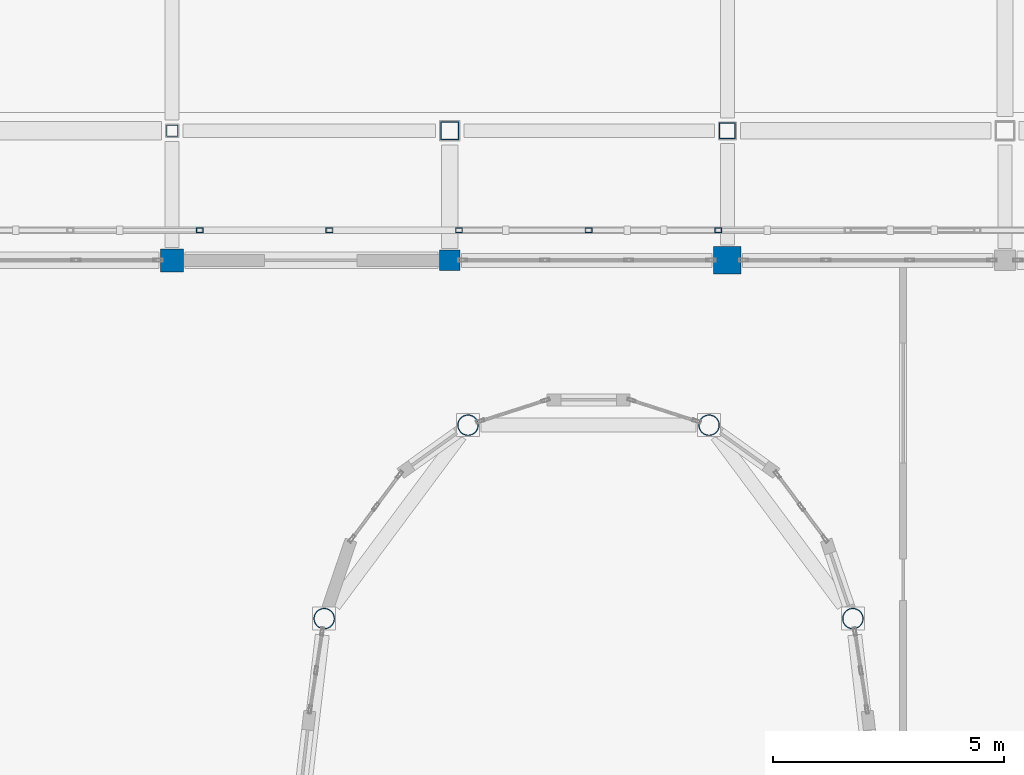
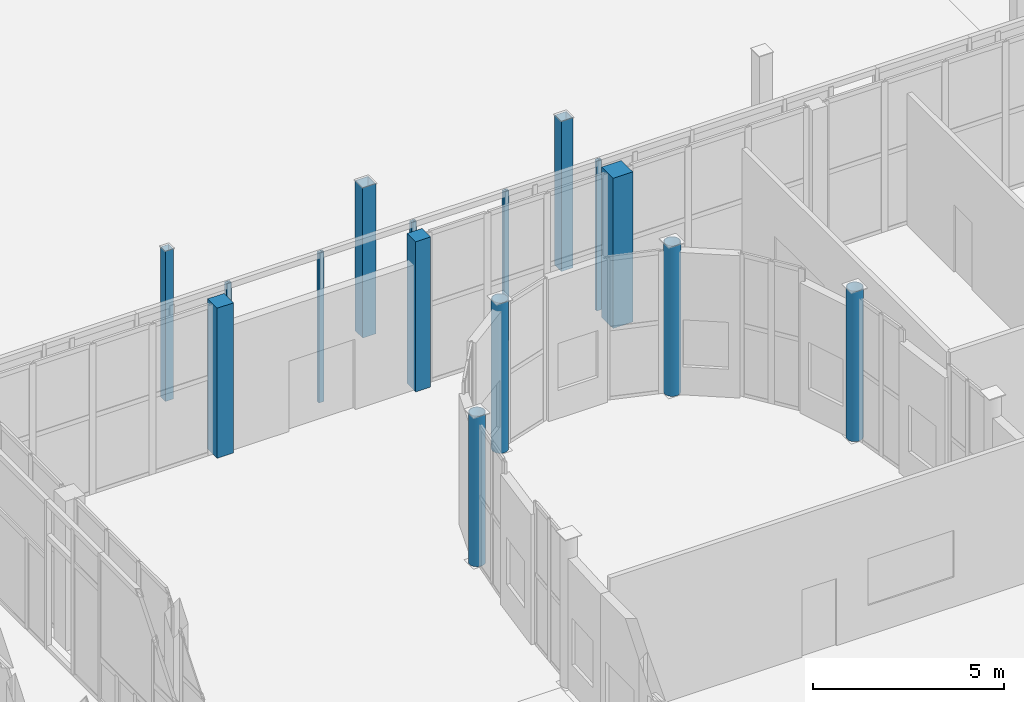
# One storey, part 13 of 91: 15 columns.
"""IFC4 building model written with IfcOpenShell, lengths in metres."""

from ifc_helpers import new_model, si_unit, direction, frame, origin, origin_2d, place, context, subcontext, project, spatial, rectangle, hollow_rectangle, hollow_circle, extrude, material, material_profile, profile_set, type_object, element, save


model = new_model("IFC4")

# Units and contexts
model_context = context("Model", 3, precision=1e-05, world=origin(), true_north=direction((0.0, 1.0)))
body_context = subcontext(model_context, "Body", "Model", "MODEL_VIEW")
ifc_project = project(units=[si_unit("LENGTHUNIT", "METRE"), si_unit("AREAUNIT", "SQUARE_METRE"), si_unit("VOLUMEUNIT", "CUBIC_METRE"), si_unit("PLANEANGLEUNIT", "RADIAN"), si_unit("MASSUNIT", "GRAM", prefix="KILO")], contexts=[model_context])

# Site, building, storey
site_placement = place(None, origin())
site = spatial("IfcSite", under=ifc_project, at=site_placement, CompositionType="ELEMENT")
building_placement = place(site_placement, origin())
building = spatial("IfcBuilding", under=site, at=building_placement, Name="Vinh Khe Railworks Police Headquarters", CompositionType="ELEMENT")
storey_placement = place(building_placement, origin())
storey = spatial("IfcBuildingStorey", under=building, at=storey_placement, Name="L00", CompositionType="ELEMENT", Elevation=0.0)

# Columns
ifc_material_1 = material(Name="Steel S355JR", Category="steel")
ifc_material_profile_1 = material_profile(ifc_material_1, hollow_rectangle(XDim=0.14990234375, YDim=0.10009765625, WallThickness=0.008056640625, at=origin_2d()), Name="RHS 150x100x8")
ifc_profile_set_1 = profile_set([ifc_material_profile_1], Name="Steel S355JR")
column_type_1 = type_object("IfcColumnType", Name="COL-QUILT-POST", PredefinedType="COLUMN", material=ifc_profile_set_1)
for number, where, z_axis, x_axis, name in (
    (1, (34.800048828125, 59.449951171875, 0.0), (0.0, 0.0, 1.0), (1.0, 0.0, 0.0), "Patchwork Quilt Carrier Column N-4 (L00)"),
    (2, (37.60009765625, 59.449951171875, 0.0), (0.0, 0.0, 1.0), (1.0, 0.0, 0.0), "Patchwork Quilt Carrier Column N-5 (L00)"),
    (3, (40.39990234375, 59.449951171875, 0.0), (0.0, 0.0, 1.0), (1.0, 0.0, 0.0), "Patchwork Quilt Carrier Column N-6 (L00)"),
    (4, (43.199951171875, 59.449951171875, 0.0), (0.0, 0.0, 1.0), (1.0, 0.0, 0.0), "Patchwork Quilt Carrier Column N-7 (L00)"),
    (5, (46.0, 59.449951171875, 0.0), (0.0, 0.0, 1.0), (1.0, 0.0, 0.0), "Patchwork Quilt Carrier Column N-8 (L00)"),
):
    element("IfcColumn", number, at=place(storey_placement, frame(where, z_axis=z_axis, x_axis=x_axis)), inside=storey, type_object=column_type_1, Name=name, PredefinedType="COLUMN", context=body_context, shape_type="SweptSolid", body=[
        extrude(hollow_rectangle(XDim=0.14990234375, YDim=0.10009765625, WallThickness=0.008056640625, at=origin_2d()), origin(), (0.0, 0.0, 1.0), 4.800048828125),
    ])
ifc_material_2 = material(Name="Concrete C40/50 (B40)", Category="concrete")
ifc_material_profile_2 = material_profile(ifc_material_2, rectangle(XDim=0.449951171875, YDim=0.449951171875, at=origin_2d()), Name="RC 450x450")
ifc_profile_set_2 = profile_set([ifc_material_profile_2], Name="Concrete C40/50 (B40)")
column_type_2 = type_object("IfcColumnType", Name="RC Column RC 450x450", PredefinedType="COLUMN", material=ifc_profile_set_2)
column_1_placement = place(storey_placement, frame((40.199951171875, 58.800048828125, 0.0), z_axis=(0.0, 0.0, 1.0), x_axis=(1.0, 0.0, 0.0)))
element("IfcColumn", 6, at=column_1_placement, inside=storey, type_object=column_type_2, Name="Column COL-L00-CC-08-0864", PredefinedType="COLUMN", context=body_context, shape_type="SweptSolid", body=[
    extrude(rectangle(XDim=0.449951171875, YDim=0.449951171875, at=origin_2d()), origin(), (0.0, 0.0, 1.0), 4.800048828125),
])
ifc_material_profile_3 = material_profile(ifc_material_2, rectangle(XDim=0.5, YDim=0.5, at=origin_2d()), Name="RC 500x500")
ifc_profile_set_3 = profile_set([ifc_material_profile_3], Name="Concrete C40/50 (B40)")
column_type_3 = type_object("IfcColumnType", Name="RC Column RC 500x500", PredefinedType="COLUMN", material=ifc_profile_set_3)
column_2_placement = place(storey_placement, frame((34.199951171875, 58.800048828125, 0.0), z_axis=(0.0, 0.0, 1.0), x_axis=(1.0, 0.0, 0.0)))
element("IfcColumn", 7, at=column_2_placement, inside=storey, type_object=column_type_3, Name="Column COL-L00-CC-07-0795", PredefinedType="COLUMN", context=body_context, shape_type="SweptSolid", body=[
    extrude(rectangle(XDim=0.5, YDim=0.5, at=origin_2d()), origin(), (0.0, 0.0, 1.0), 4.800048828125),
])
ifc_material_profile_4 = material_profile(ifc_material_2, rectangle(XDim=0.60009765625, YDim=0.60009765625, at=origin_2d()), Name="RC 600x600")
ifc_profile_set_4 = profile_set([ifc_material_profile_4], Name="Concrete C40/50 (B40)")
column_type_4 = type_object("IfcColumnType", Name="RC Column RC 600x600", PredefinedType="COLUMN", material=ifc_profile_set_4)
column_3_placement = place(storey_placement, frame((46.199951171875, 58.800048828125, 0.0), z_axis=(0.0, 0.0, 1.0), x_axis=(1.0, 0.0, 0.0)))
element("IfcColumn", 8, at=column_3_placement, inside=storey, type_object=column_type_4, Name="Column COL-L00-CC-05-0913", PredefinedType="COLUMN", context=body_context, shape_type="SweptSolid", body=[
    extrude(rectangle(XDim=0.60009765625, YDim=0.60009765625, at=origin_2d()), origin(), (0.0, 0.0, 1.0), 4.800048828125),
])
ifc_material_profile_5 = material_profile(ifc_material_1, hollow_circle(Radius=0.228515625, WallThickness=0.02001953125, at=origin_2d()), Name="CHS 457x20")
ifc_profile_set_5 = profile_set([ifc_material_profile_5], Name="Steel S355JR")
column_type_5 = type_object("IfcColumnType", Name="Steel Column CHS 457x20", PredefinedType="COLUMN", material=ifc_profile_set_5)
for number, where, z_axis, x_axis, name in (
    (9, (37.48681640625, 51.055908203125, 0.0), (0.0, 0.0, 1.0), (-0.988148142789, 0.15350325046, 0.0), "Column COL-L00-SC-25-0845"),
    (10, (40.594970703125, 55.237548828125, 0.0), (0.0, 0.0, 1.0), (-0.581981048437, 0.813202348287, 0.0), "Column COL-L00-SC-25-0884"),
    (11, (45.80517578125, 55.237548828125, 0.0), (0.0, 0.0, 1.0), (0.30552912238, 0.952182732136, 0.0), "Column COL-L00-SC-25-0894"),
    (12, (48.9130859375, 51.055908203125, 0.0), (0.0, 0.0, 1.0), (0.946480392435, 0.322761315426, 0.0), "Column COL-L00-SC-25-0945"),
):
    element("IfcColumn", number, at=place(storey_placement, frame(where, z_axis=z_axis, x_axis=x_axis)), inside=storey, type_object=column_type_5, Name=name, PredefinedType="COLUMN", context=body_context, shape_type="SweptSolid", body=[
        extrude(hollow_circle(Radius=0.228515625, WallThickness=0.02001953125, at=origin_2d()), origin(), (0.0, 0.0, 1.0), 4.800048828125),
    ])
ifc_material_profile_6 = material_profile(ifc_material_1, hollow_rectangle(XDim=0.25, YDim=0.25, WallThickness=0.012451171875, at=origin_2d()), Name="SHS 250x250x12.5")
ifc_profile_set_6 = profile_set([ifc_material_profile_6], Name="Steel S355JR")
column_type_6 = type_object("IfcColumnType", Name="Steel Column SHS 250x250x12.5", PredefinedType="COLUMN", material=ifc_profile_set_6)
column_4_placement = place(storey_placement, frame((34.199951171875, 61.60009765625, 0.0), z_axis=(0.0, 0.0, 1.0), x_axis=(1.0, 0.0, 0.0)))
element("IfcColumn", 13, at=column_4_placement, inside=storey, type_object=column_type_6, Name="Column COL-L00-SC-24-0800", PredefinedType="COLUMN", context=body_context, shape_type="SweptSolid", body=[
    extrude(hollow_rectangle(XDim=0.25, YDim=0.25, WallThickness=0.012451171875, at=origin_2d()), origin(), (0.0, 0.0, 1.0), 4.800048828125),
])
ifc_material_profile_7 = material_profile(ifc_material_1, hollow_rectangle(XDim=0.35009765625, YDim=0.35009765625, WallThickness=0.01611328125, at=origin_2d()), Name="SHS 350x350x16")
ifc_profile_set_7 = profile_set([ifc_material_profile_7], Name="Steel S355JR")
column_type_7 = type_object("IfcColumnType", Name="Steel Column SHS 350x350x16", PredefinedType="COLUMN", material=ifc_profile_set_7)
column_5_placement = place(storey_placement, frame((46.199951171875, 61.60009765625, 0.0), z_axis=(0.0, 0.0, 1.0), x_axis=(1.0, 0.0, 0.0)))
element("IfcColumn", 14, at=column_5_placement, inside=storey, type_object=column_type_7, Name="Column COL-L00-SC-22-0918", PredefinedType="COLUMN", context=body_context, shape_type="SweptSolid", body=[
    extrude(hollow_rectangle(XDim=0.35009765625, YDim=0.35009765625, WallThickness=0.01611328125, at=origin_2d()), origin(), (0.0, 0.0, 1.0), 4.800048828125),
])
ifc_material_profile_8 = material_profile(ifc_material_1, hollow_rectangle(XDim=0.39990234375, YDim=0.39990234375, WallThickness=0.02001953125, at=origin_2d()), Name="SHS 400x400x20")
ifc_profile_set_8 = profile_set([ifc_material_profile_8], Name="Steel S355JR")
column_type_8 = type_object("IfcColumnType", Name="Steel Column SHS 400x400x20", PredefinedType="COLUMN", material=ifc_profile_set_8)
column_6_placement = place(storey_placement, frame((40.199951171875, 61.60009765625, 0.0), z_axis=(0.0, 0.0, 1.0), x_axis=(1.0, 0.0, 0.0)))
element("IfcColumn", 15, at=column_6_placement, inside=storey, type_object=column_type_8, Name="Column COL-L00-SC-21-0869", PredefinedType="COLUMN", context=body_context, shape_type="SweptSolid", body=[
    extrude(hollow_rectangle(XDim=0.39990234375, YDim=0.39990234375, WallThickness=0.02001953125, at=origin_2d()), origin(), (0.0, 0.0, 1.0), 4.800048828125),
])

save(model, "model.ifc")
